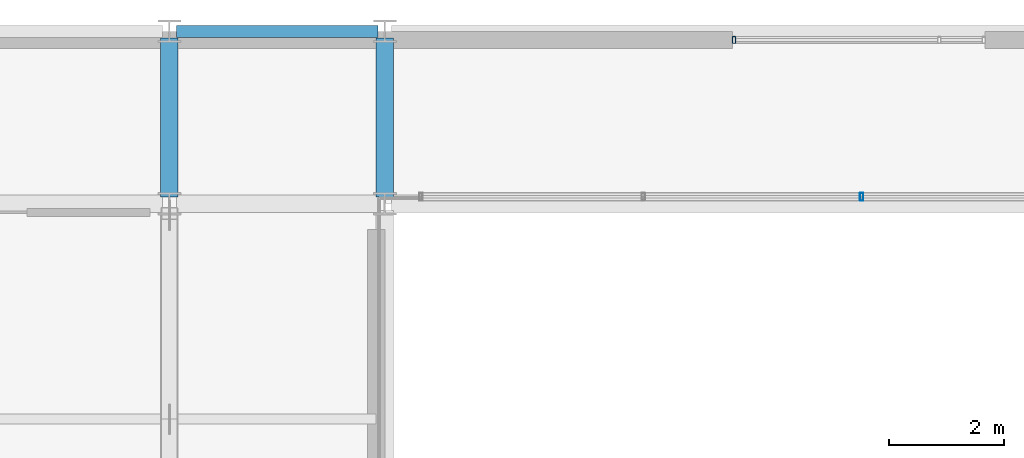
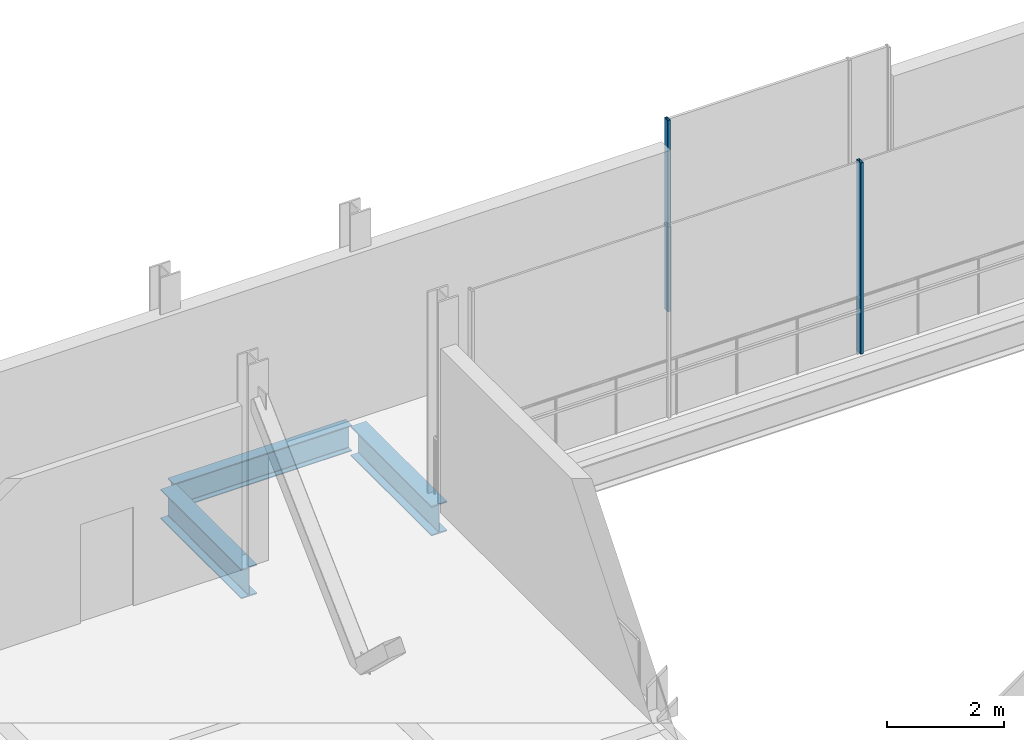
# One storey, part 11 of 33: 3 beams, 2 members, 2 elements without a shape of their own.
"""IFC4 building model written with IfcOpenShell, lengths in metres."""

from ifc_helpers import new_model, si_unit, direction, frame, origin, origin_2d, place, context, subcontext, project, spatial, hollow_rectangle, i_section, extrude, material, layer, layer_set, material_profile, profile_set, type_object, element, aggregate, save


model = new_model("IFC4")

# Units and contexts
model_context = context("Model", 3, precision=1e-05, world=origin(), true_north=direction((0.0, 1.0)))
body_context = subcontext(model_context, "Body", "Model", "MODEL_VIEW")
ifc_project = project(units=[si_unit("LENGTHUNIT", "METRE"), si_unit("AREAUNIT", "SQUARE_METRE"), si_unit("VOLUMEUNIT", "CUBIC_METRE"), si_unit("PLANEANGLEUNIT", "RADIAN"), si_unit("MASSUNIT", "GRAM", prefix="KILO")], contexts=[model_context])

# Site, building, storey
site_placement = place(None, origin())
site = spatial("IfcSite", under=ifc_project, at=site_placement, CompositionType="ELEMENT")
building_placement = place(site_placement, origin())
building = spatial("IfcBuilding", under=site, at=building_placement, Name="Brevholm Reach", CompositionType="ELEMENT")
storey_placement = place(building_placement, frame((0.0, 0.0, 179.0)))
storey = spatial("IfcBuildingStorey", under=building, at=storey_placement, Name="L54", CompositionType="ELEMENT", Elevation=179.0)

# Beams
ifc_material_1 = material(Name="Structural Steel S355J2", Category="steel")
ifc_material_profile_1 = material_profile(ifc_material_1, i_section(OverallWidth=0.210693359375, OverallDepth=0.53955078125, WebThickness=0.01171875, FlangeThickness=0.018798828125, FilletRadius=0.0126953125, at=origin_2d()), Name="UKB 533x210x109")
ifc_profile_set_1 = profile_set([ifc_material_profile_1], Name="Structural Steel S355J2")
beam_type_1 = type_object("IfcBeamType", Name="BM-SP539", PredefinedType="SPANDREL", material=ifc_profile_set_1)
beam_placement = place(storey_placement, frame((18.1201171875, 26.5, -0.52978515625), z_axis=(1.0, 0.0, 0.0), x_axis=(0.0, 1.0, 0.0)))
element("IfcBeam", 1, at=beam_placement, inside=storey, type_object=beam_type_1, Name="L54 SP-01B Framing Beam", PredefinedType="SPANDREL", context=body_context, shape_type="SweptSolid", body=[
    extrude(i_section(OverallWidth=0.210693359375, OverallDepth=0.53955078125, WebThickness=0.01171875, FlangeThickness=0.018798828125, FilletRadius=0.0126953125, at=origin_2d()), origin(), (0.0, 0.0, 1.0), 3.509765625),
])
ifc_material_2 = material(Name="Structural Steel S355J2", Category="steel")
ifc_material_profile_2 = material_profile(ifc_material_2, i_section(OverallWidth=0.30712890625, OverallDepth=0.6201171875, WebThickness=0.01416015625, FlangeThickness=0.023681640625, FilletRadius=0.0166015625, at=origin_2d()), Name="UKB 610x305x179")
ifc_profile_set_2 = profile_set([ifc_material_profile_2], Name="Structural Steel S355J2")
beam_type_2 = type_object("IfcBeamType", Name="BM-UKB610H", PredefinedType="USERDEFINED", material=ifc_profile_set_2)
for number, where, z_axis, x_axis, name in (
    (2, (18.0, 23.6201171875, -0.570068359375), (0.0, 1.0, 0.0), (-1.0, 0.0, 0.0), "L54 G-06 Framing Beam"),
    (3, (21.75, 23.6201171875, -0.570068359375), (0.0, 1.0, 0.0), (-1.0, 0.0, 0.0), "L54 G-06 Framing Beam"),
):
    element("IfcBeam", number, at=place(storey_placement, frame(where, z_axis=z_axis, x_axis=x_axis)), inside=storey, type_object=beam_type_2, Name=name, ObjectType="GIRDER", PredefinedType="USERDEFINED", context=body_context, shape_type="SweptSolid", body=[
        extrude(i_section(OverallWidth=0.30712890625, OverallDepth=0.6201171875, WebThickness=0.01416015625, FlangeThickness=0.023681640625, FilletRadius=0.0166015625, at=origin_2d()), origin(), (0.0, 0.0, 1.0), 2.759765625),
    ])

# Curtain wall, member
ifc_material_3 = material(Name="Dark Anodised Aluminium 6063-T6 and Solar-Control Glass", Category="aluminium")
ifc_layer_1 = layer(ifc_material_3, 0.1201171875)
ifc_layer_set_1 = layer_set([ifc_layer_1], Name="Dark Anodised Aluminium 6063-T6 and Solar-Control Glass")
curtain_wall_type_1 = type_object("IfcCurtainWallType", Name="CW-06", PredefinedType="NOTDEFINED", material=ifc_layer_set_1)
curtain_wall_1_placement = place(storey_placement, origin())
curtain_wall_1 = element("IfcCurtainWall", 4, at=curtain_wall_1_placement, inside=storey, type_object=curtain_wall_type_1, Name="L54 Curtain Wall CW-06", PredefinedType="NOTDEFINED")
ifc_material_4 = material(Name="Dark Anodised Aluminium 6063-T6", Category="aluminium")
ifc_material_profile_3 = material_profile(ifc_material_4, hollow_rectangle(XDim=0.054931640625, YDim=0.1201171875, WallThickness=0.00390625, InnerFilletRadius=0.00390625, OuterFilletRadius=0.008056640625, at=origin_2d()), Name="RHS 120x55x4")
ifc_profile_set_3 = profile_set([ifc_material_profile_3], Name="Dark Anodised Aluminium 6063-T6")
member_type_1 = type_object("IfcMemberType", Name="CWM-120", PredefinedType="MULLION", material=ifc_profile_set_3)
member_1_placement = place(storey_placement, frame((27.827392578125, 26.35009765625, 0.0), z_axis=(0.0, 0.0, 1.0), x_axis=(1.0, 0.0, 0.0)))
member_1 = element("IfcMember", 5, at=member_1_placement, type_object=member_type_1, Name="CM-120 Mullion 1", PredefinedType="MULLION", context=body_context, shape_type="SweptSolid", body=[
    extrude(hollow_rectangle(XDim=0.054931640625, YDim=0.1201171875, WallThickness=0.00390625, InnerFilletRadius=0.00390625, OuterFilletRadius=0.008056640625, at=origin_2d()), origin(), (0.0, 0.0, 1.0), 3.989990234375),
])
aggregate(curtain_wall_1, [member_1])

ifc_material_5 = material(Name="Dark Anodised Aluminium 6063-T6 and Solar-Control Glass", Category="aluminium")
ifc_layer_2 = layer(ifc_material_5, 0.139892578125)
ifc_layer_set_2 = layer_set([ifc_layer_2], Name="Dark Anodised Aluminium 6063-T6 and Solar-Control Glass")
curtain_wall_type_2 = type_object("IfcCurtainWallType", Name="CW-02", PredefinedType="NOTDEFINED", material=ifc_layer_set_2)
curtain_wall_2_placement = place(storey_placement, origin())
curtain_wall_2 = element("IfcCurtainWall", 6, at=curtain_wall_2_placement, inside=storey, type_object=curtain_wall_type_2, Name="L54 Curtain Wall CW-02", PredefinedType="NOTDEFINED")
ifc_material_6 = material(Name="Dark Anodised Aluminium 6063-T6", Category="aluminium")
ifc_material_profile_4 = material_profile(ifc_material_6, hollow_rectangle(XDim=0.06005859375, YDim=0.139892578125, WallThickness=0.0048828125, InnerFilletRadius=0.0048828125, OuterFilletRadius=0.010009765625, at=origin_2d()), Name="RHS 140x60x5")
ifc_profile_set_4 = profile_set([ifc_material_profile_4], Name="Dark Anodised Aluminium 6063-T6")
member_type_2 = type_object("IfcMemberType", Name="CWM-140", PredefinedType="MULLION", material=ifc_profile_set_4)
member_2_placement = place(storey_placement, frame((30.050048828125, 23.6201171875, 0.0), z_axis=(0.0, 0.0, 1.0), x_axis=(-1.0, 0.0, 0.0)))
member_2 = element("IfcMember", 7, at=member_2_placement, type_object=member_type_2, Name="CM-140 Mullion 3", PredefinedType="MULLION", context=body_context, shape_type="SweptSolid", body=[
    extrude(hollow_rectangle(XDim=0.06005859375, YDim=0.139892578125, WallThickness=0.0048828125, InnerFilletRadius=0.0048828125, OuterFilletRadius=0.010009765625, at=origin_2d()), origin(), (0.0, 0.0, 1.0), 3.989990234375),
])
aggregate(curtain_wall_2, [member_2])

save(model, "model.ifc")
